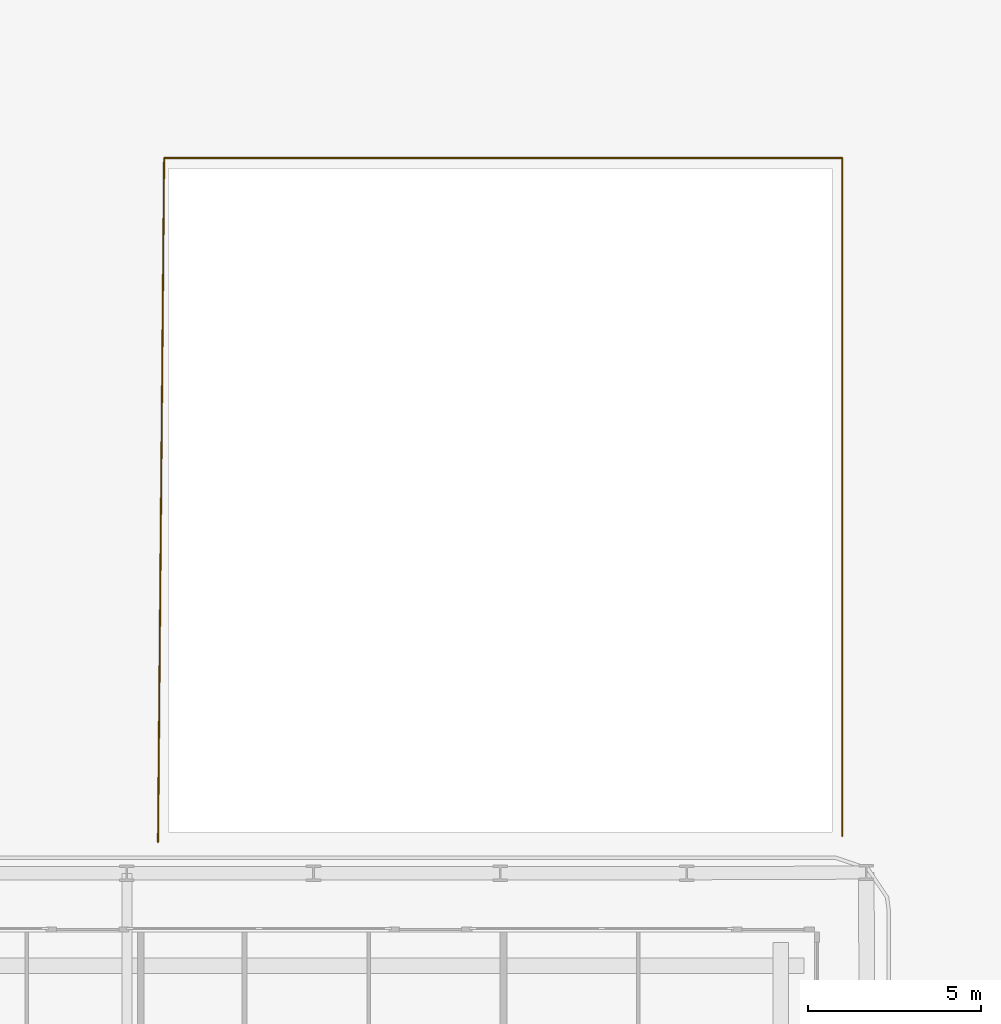
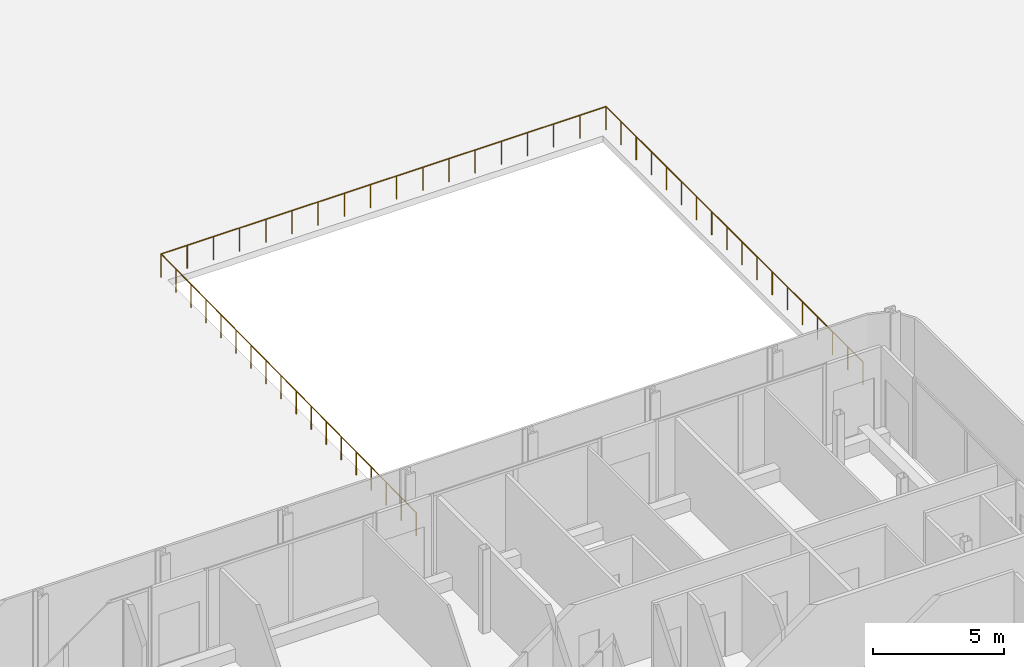
# One storey, part 26 of 27: 1 railing.
"""IFC4 building model written with IfcOpenShell, lengths in metres."""

from ifc_helpers import new_model, si_unit, direction, frame, origin, origin_2d, place, context, subcontext, project, spatial, circle, extrude, material, type_object, element, save


model = new_model("IFC4")

# Units and contexts
model_context = context("Model", 3, precision=1e-05, world=origin(), true_north=direction((0.0, 1.0)))
body_context = subcontext(model_context, "Body", "Model", "MODEL_VIEW")
ifc_project = project(units=[si_unit("LENGTHUNIT", "METRE"), si_unit("AREAUNIT", "SQUARE_METRE"), si_unit("VOLUMEUNIT", "CUBIC_METRE"), si_unit("PLANEANGLEUNIT", "RADIAN"), si_unit("MASSUNIT", "GRAM", prefix="KILO")], contexts=[model_context])

# Site, building, storey
site_placement = place(None, origin())
site = spatial("IfcSite", under=ifc_project, at=site_placement, CompositionType="ELEMENT")
building_placement = place(site_placement, origin())
building = spatial("IfcBuilding", under=site, at=building_placement, Name="Kheshtan School and Residences Tower", CompositionType="ELEMENT")
storey_placement = place(building_placement, frame((0.0, 0.0, 30.5)))
storey = spatial("IfcBuildingStorey", under=building, at=storey_placement, Name="L06", CompositionType="ELEMENT", Elevation=30.5)

# Railing
ifc_material = material(Name="Stainless steel balustrade", Category="steel")
railing_type = type_object("IfcRailingType", Name="Loggia guard 1100", PredefinedType="GUARDRAIL", material=ifc_material)
railing_placement = place(storey_placement, frame((89.89990234375, 46.677001953125, 0.0)))
element("IfcRailing", 1, at=railing_placement, inside=storey, type_object=railing_type, Name="Terrace guard L06 2", PredefinedType="GUARDRAIL", context=body_context, shape_type="SweptSolid", body=[
    extrude(circle(Radius=0.02392578125, at=origin_2d()), frame((0.0, 0.0, 1.076171875), z_axis=(0.0, 1.0, 0.0), x_axis=(-1.0, 0.0, 0.0)), (0.0, 0.0, 1.0), 19.623046875),
    extrude(circle(Radius=0.02392578125, at=origin_2d()), frame((0.0, 19.623046875, 1.076171875), z_axis=(-1.0, 0.0, 0.0), x_axis=(0.0, -1.0, 0.0)), (0.0, 0.0, 1.0), 19.622802734375),
    extrude(circle(Radius=0.02392578125, at=origin_2d()), frame((-19.622802734375, 19.623046875, 1.076171875), z_axis=(-0.008939554238, -0.999960041387, 0.0), x_axis=(0.999960041387, -0.008939554238, 0.0)), (0.0, 0.0, 1.0), 19.7998046875),
    extrude(circle(Radius=0.02099609375, at=origin_2d()), origin(), (0.0, 0.0, 1.0), 1.052001953125),
    extrude(circle(Radius=0.02099609375, at=origin_2d()), frame((0.0, 1.154296875, 0.0)), (0.0, 0.0, 1.0), 1.052001953125),
    extrude(circle(Radius=0.02099609375, at=origin_2d()), frame((0.0, 2.30859375, 0.0)), (0.0, 0.0, 1.0), 1.052001953125),
    extrude(circle(Radius=0.02099609375, at=origin_2d()), frame((0.0, 3.462890625, 0.0)), (0.0, 0.0, 1.0), 1.052001953125),
    extrude(circle(Radius=0.02099609375, at=origin_2d()), frame((0.0, 4.6171875, 0.0)), (0.0, 0.0, 1.0), 1.052001953125),
    extrude(circle(Radius=0.02099609375, at=origin_2d()), frame((0.0, 5.771484375, 0.0)), (0.0, 0.0, 1.0), 1.052001953125),
    extrude(circle(Radius=0.02099609375, at=origin_2d()), frame((0.0, 6.92578125, 0.0)), (0.0, 0.0, 1.0), 1.052001953125),
    extrude(circle(Radius=0.02099609375, at=origin_2d()), frame((0.0, 8.080078125, 0.0)), (0.0, 0.0, 1.0), 1.052001953125),
    extrude(circle(Radius=0.02099609375, at=origin_2d()), frame((0.0, 9.234375, 0.0)), (0.0, 0.0, 1.0), 1.052001953125),
    extrude(circle(Radius=0.02099609375, at=origin_2d()), frame((0.0, 10.388671875, 0.0)), (0.0, 0.0, 1.0), 1.052001953125),
    extrude(circle(Radius=0.02099609375, at=origin_2d()), frame((0.0, 11.54296875, 0.0)), (0.0, 0.0, 1.0), 1.052001953125),
    extrude(circle(Radius=0.02099609375, at=origin_2d()), frame((0.0, 12.697265625, 0.0)), (0.0, 0.0, 1.0), 1.052001953125),
    extrude(circle(Radius=0.02099609375, at=origin_2d()), frame((0.0, 13.8515625, 0.0)), (0.0, 0.0, 1.0), 1.052001953125),
    extrude(circle(Radius=0.02099609375, at=origin_2d()), frame((0.0, 15.005859375, 0.0)), (0.0, 0.0, 1.0), 1.052001953125),
    extrude(circle(Radius=0.02099609375, at=origin_2d()), frame((0.0, 16.16015625, 0.0)), (0.0, 0.0, 1.0), 1.052001953125),
    extrude(circle(Radius=0.02099609375, at=origin_2d()), frame((0.0, 17.314453125, 0.0)), (0.0, 0.0, 1.0), 1.052001953125),
    extrude(circle(Radius=0.02099609375, at=origin_2d()), frame((0.0, 18.46875, 0.0)), (0.0, 0.0, 1.0), 1.052001953125),
    extrude(circle(Radius=0.02099609375, at=origin_2d()), frame((0.0, 19.623046875, 0.0)), (0.0, 0.0, 1.0), 1.052001953125),
    extrude(circle(Radius=0.02099609375, at=origin_2d()), frame((-1.154296875, 19.623046875, 0.0)), (0.0, 0.0, 1.0), 1.052001953125),
    extrude(circle(Radius=0.02099609375, at=origin_2d()), frame((-2.30859375, 19.623046875, 0.0)), (0.0, 0.0, 1.0), 1.052001953125),
    extrude(circle(Radius=0.02099609375, at=origin_2d()), frame((-3.462890625, 19.623046875, 0.0)), (0.0, 0.0, 1.0), 1.052001953125),
    extrude(circle(Radius=0.02099609375, at=origin_2d()), frame((-4.6171875, 19.623046875, 0.0)), (0.0, 0.0, 1.0), 1.052001953125),
    extrude(circle(Radius=0.02099609375, at=origin_2d()), frame((-5.771484375, 19.623046875, 0.0)), (0.0, 0.0, 1.0), 1.052001953125),
    extrude(circle(Radius=0.02099609375, at=origin_2d()), frame((-6.92578125, 19.623046875, 0.0)), (0.0, 0.0, 1.0), 1.052001953125),
    extrude(circle(Radius=0.02099609375, at=origin_2d()), frame((-8.080078125, 19.623046875, 0.0)), (0.0, 0.0, 1.0), 1.052001953125),
    extrude(circle(Radius=0.02099609375, at=origin_2d()), frame((-9.234375, 19.623046875, 0.0)), (0.0, 0.0, 1.0), 1.052001953125),
    extrude(circle(Radius=0.02099609375, at=origin_2d()), frame((-10.388427734375, 19.623046875, 0.0)), (0.0, 0.0, 1.0), 1.052001953125),
    extrude(circle(Radius=0.02099609375, at=origin_2d()), frame((-11.542724609375, 19.623046875, 0.0)), (0.0, 0.0, 1.0), 1.052001953125),
    extrude(circle(Radius=0.02099609375, at=origin_2d()), frame((-12.697021484375, 19.623046875, 0.0)), (0.0, 0.0, 1.0), 1.052001953125),
    extrude(circle(Radius=0.02099609375, at=origin_2d()), frame((-13.851318359375, 19.623046875, 0.0)), (0.0, 0.0, 1.0), 1.052001953125),
    extrude(circle(Radius=0.02099609375, at=origin_2d()), frame((-15.005615234375, 19.623046875, 0.0)), (0.0, 0.0, 1.0), 1.052001953125),
    extrude(circle(Radius=0.02099609375, at=origin_2d()), frame((-16.159912109375, 19.623046875, 0.0)), (0.0, 0.0, 1.0), 1.052001953125),
    extrude(circle(Radius=0.02099609375, at=origin_2d()), frame((-17.314208984375, 19.623046875, 0.0)), (0.0, 0.0, 1.0), 1.052001953125),
    extrude(circle(Radius=0.02099609375, at=origin_2d()), frame((-18.468505859375, 19.623046875, 0.0)), (0.0, 0.0, 1.0), 1.052001953125),
    extrude(circle(Radius=0.02099609375, at=origin_2d()), frame((-19.622802734375, 19.623046875, 0.0)), (0.0, 0.0, 1.0), 1.052001953125),
    extrude(circle(Radius=0.02099609375, at=origin_2d()), frame((-19.63330078125, 18.45849609375, 0.0)), (0.0, 0.0, 1.0), 1.052001953125),
    extrude(circle(Radius=0.02099609375, at=origin_2d()), frame((-19.6435546875, 17.293701171875, 0.0)), (0.0, 0.0, 1.0), 1.052001953125),
    extrude(circle(Radius=0.02099609375, at=origin_2d()), frame((-19.654052734375, 16.129150390625, 0.0)), (0.0, 0.0, 1.0), 1.052001953125),
    extrude(circle(Radius=0.02099609375, at=origin_2d()), frame((-19.66455078125, 14.96435546875, 0.0)), (0.0, 0.0, 1.0), 1.052001953125),
    extrude(circle(Radius=0.02099609375, at=origin_2d()), frame((-19.6748046875, 13.7998046875, 0.0)), (0.0, 0.0, 1.0), 1.052001953125),
    extrude(circle(Radius=0.02099609375, at=origin_2d()), frame((-19.685302734375, 12.63525390625, 0.0)), (0.0, 0.0, 1.0), 1.052001953125),
    extrude(circle(Radius=0.02099609375, at=origin_2d()), frame((-19.69580078125, 11.470458984375, 0.0)), (0.0, 0.0, 1.0), 1.052001953125),
    extrude(circle(Radius=0.02099609375, at=origin_2d()), frame((-19.7060546875, 10.305908203125, 0.0)), (0.0, 0.0, 1.0), 1.052001953125),
    extrude(circle(Radius=0.02099609375, at=origin_2d()), frame((-19.716552734375, 9.14111328125, 0.0)), (0.0, 0.0, 1.0), 1.052001953125),
    extrude(circle(Radius=0.02099609375, at=origin_2d()), frame((-19.726806640625, 7.9765625, 0.0)), (0.0, 0.0, 1.0), 1.052001953125),
    extrude(circle(Radius=0.02099609375, at=origin_2d()), frame((-19.7373046875, 6.811767578125, 0.0)), (0.0, 0.0, 1.0), 1.052001953125),
    extrude(circle(Radius=0.02099609375, at=origin_2d()), frame((-19.747802734375, 5.647216796875, 0.0)), (0.0, 0.0, 1.0), 1.052001953125),
    extrude(circle(Radius=0.02099609375, at=origin_2d()), frame((-19.758056640625, 4.482666015625, 0.0)), (0.0, 0.0, 1.0), 1.052001953125),
    extrude(circle(Radius=0.02099609375, at=origin_2d()), frame((-19.7685546875, 3.31787109375, 0.0)), (0.0, 0.0, 1.0), 1.052001953125),
    extrude(circle(Radius=0.02099609375, at=origin_2d()), frame((-19.779052734375, 2.1533203125, 0.0)), (0.0, 0.0, 1.0), 1.052001953125),
    extrude(circle(Radius=0.02099609375, at=origin_2d()), frame((-19.789306640625, 0.988525390625, 0.0)), (0.0, 0.0, 1.0), 1.052001953125),
    extrude(circle(Radius=0.02099609375, at=origin_2d()), frame((-19.7998046875, -0.176025390625, 0.0)), (0.0, 0.0, 1.0), 1.052001953125),
])

save(model, "model.ifc")
